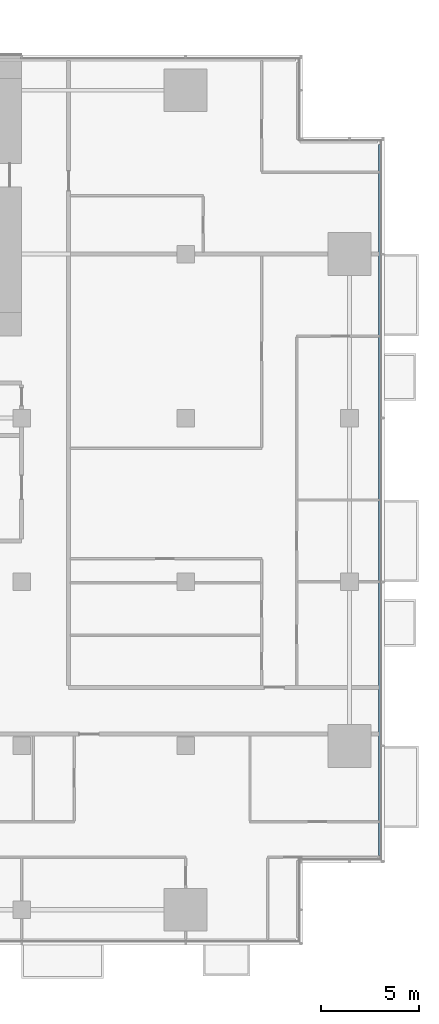
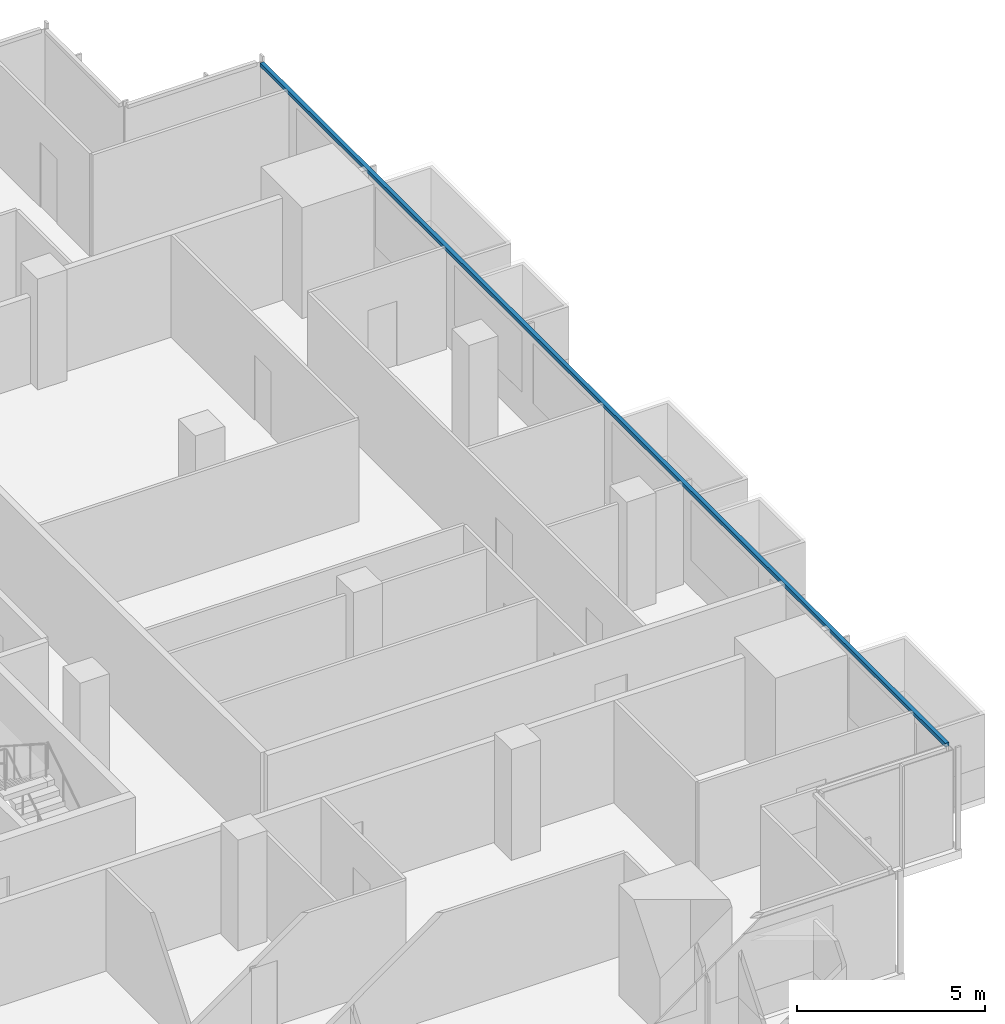
# One storey, part 12 of 27: 1 member, 1 element without a shape of its own.
"""IFC4 building model written with IfcOpenShell, lengths in metres."""

from ifc_helpers import new_model, si_unit, direction, frame, origin, origin_2d, place, context, subcontext, project, spatial, rectangle, extrude, material, material_profile, profile_set, type_object, element, aggregate, save


model = new_model("IFC4")

# Units and contexts
model_context = context("Model", 3, precision=1e-05, world=origin(), true_north=direction((0.0, 1.0)))
body_context = subcontext(model_context, "Body", "Model", "MODEL_VIEW")
ifc_project = project(units=[si_unit("LENGTHUNIT", "METRE"), si_unit("AREAUNIT", "SQUARE_METRE"), si_unit("VOLUMEUNIT", "CUBIC_METRE"), si_unit("PLANEANGLEUNIT", "RADIAN"), si_unit("MASSUNIT", "GRAM", prefix="KILO")], contexts=[model_context])

# Site, building, storey
site_placement = place(None, origin())
site = spatial("IfcSite", under=ifc_project, at=site_placement, CompositionType="ELEMENT")
building_placement = place(site_placement, origin())
building = spatial("IfcBuilding", under=site, at=building_placement, Name="Saffron Gate Tower", CompositionType="ELEMENT")
storey_placement = place(building_placement, frame((0.0, 0.0, 40.800048828125)))
storey = spatial("IfcBuildingStorey", under=building, at=storey_placement, Name="L08", CompositionType="ELEMENT", Elevation=40.800048828125)

# Curtain wall, member
ifc_material = material(Name="Aluminium, bronze anodised", Category="aluminium")
curtain_wall_type = type_object("IfcCurtainWallType", Name="CWS2 curtain wall side facades", PredefinedType="NOTDEFINED", material=ifc_material)
curtain_wall_placement = place(storey_placement, origin())
curtain_wall = element("IfcCurtainWall", 1, at=curtain_wall_placement, inside=storey, type_object=curtain_wall_type, Name="CWS2 run 4", PredefinedType="NOTDEFINED")
ifc_material_profile = material_profile(ifc_material, rectangle(XDim=0.1201171875, YDim=0.1201171875, at=origin_2d()))
ifc_profile_set = profile_set([ifc_material_profile], Name="Aluminium, bronze anodised")
member_type = type_object("IfcMemberType", Name="CWS2 head transom", PredefinedType="USERDEFINED", material=ifc_profile_set)
member_placement = place(storey_placement, frame((126.951904296875, 34.568115234375, 3.260009765625), z_axis=(0.0, 1.0, 0.0), x_axis=(-1.0, 0.0, 0.0)))
member = element("IfcMember", 2, at=member_placement, type_object=member_type, Name="CWS2 head transom", ObjectType="TRANSOM", PredefinedType="USERDEFINED", context=body_context, shape_type="SweptSolid", body=[
    extrude(rectangle(XDim=0.1201171875, YDim=0.1201171875, at=origin_2d()), origin(), (0.0, 0.0, 1.0), 36.4638671875),
])
aggregate(curtain_wall, [member])

save(model, "model.ifc")
